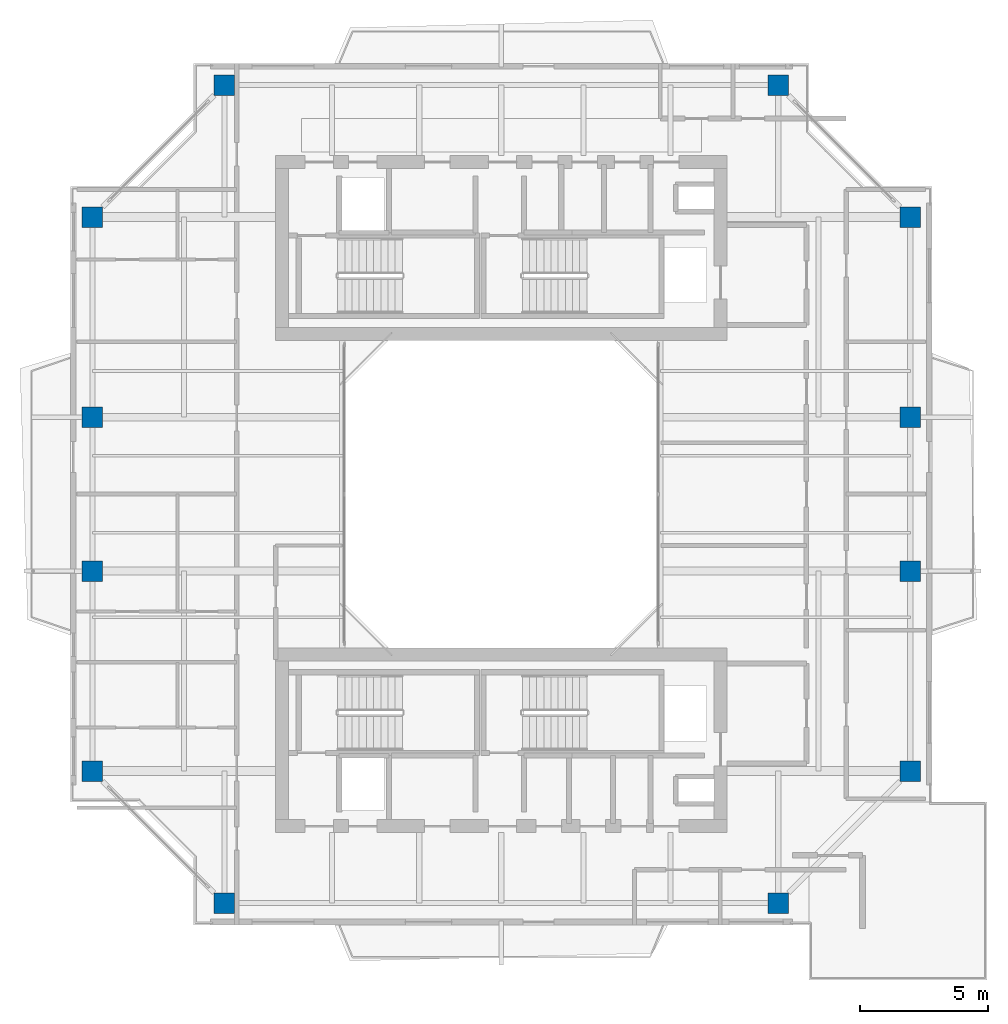
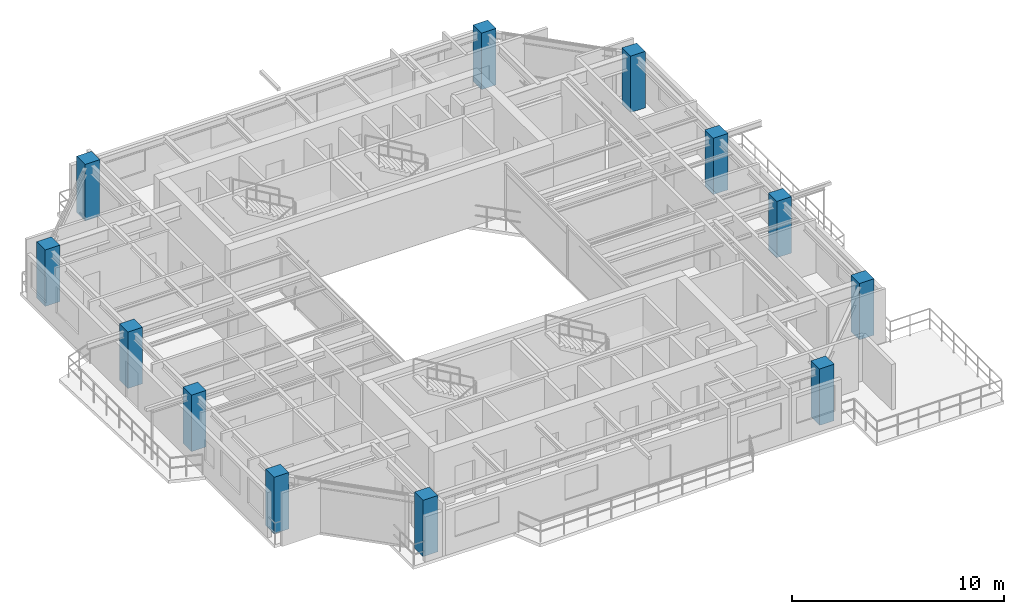
# One storey, part 1 of 15: 12 columns.
"""IFC4 building model written with IfcOpenShell, lengths in metres."""

from ifc_helpers import new_model, si_unit, direction, frame, origin, origin_2d, place, context, subcontext, project, spatial, rectangle, extrude, source, transform, mapped, material, material_profile, profile_set, type_object, element, save


model = new_model("IFC4")

# Units and contexts
model_context = context("Model", 3, precision=1e-05, world=origin(), true_north=direction((0.0, 1.0)))
body_context = subcontext(model_context, "Body", "Model", "MODEL_VIEW")
ifc_project = project(units=[si_unit("LENGTHUNIT", "METRE"), si_unit("AREAUNIT", "SQUARE_METRE"), si_unit("VOLUMEUNIT", "CUBIC_METRE"), si_unit("PLANEANGLEUNIT", "RADIAN"), si_unit("MASSUNIT", "GRAM", prefix="KILO"), si_unit("THERMODYNAMICTEMPERATUREUNIT", "KELVIN"), si_unit("POWERUNIT", "WATT")], contexts=[model_context])

# Site, building, storey
site_placement = place(None, origin())
site = spatial("IfcSite", under=ifc_project, at=site_placement, CompositionType="ELEMENT")
building_placement = place(site_placement, origin())
building = spatial("IfcBuilding", under=site, at=building_placement, Name="Qiaomeng Ring Towers", CompositionType="ELEMENT")
storey_placement = place(building_placement, frame((0.0, 0.0, 213.25)))
storey = spatial("IfcBuildingStorey", under=building, at=storey_placement, Name="L62", CompositionType="ELEMENT", Elevation=213.25)

# Columns
ifc_material = material(Name="Concrete C40", Category="concrete")
ifc_material_profile = material_profile(ifc_material, rectangle(XDim=0.800048828125, YDim=0.800048828125, at=origin_2d()), Name="RC COL 800x800")
ifc_profile_set = profile_set([ifc_material_profile], Name="Concrete C40")
column_type = type_object("IfcColumnType", Name="STR-COL-800-C40", PredefinedType="COLUMN", material=ifc_profile_set)
shared_shape = source(origin(), body_context, "Body", "SweptSolid", [
    extrude(rectangle(XDim=0.800048828125, YDim=0.800048828125, at=origin_2d()), origin(), (0.0, 0.0, 1.0), 3.25),
])
for number, where, z_axis, x_axis, name in (
    (1, (8.199951171875, 7.050048828125, 0.0), (0.0, 0.0, 1.0), (1.0, 0.0, 0.0), "L62 column STR-COL-L62-T1-S1"),
    (2, (29.800048828125, 7.050048828125, 0.0), (0.0, 0.0, 1.0), (1.0, 0.0, 0.0), "L62 column STR-COL-L62-T1-S2"),
    (3, (34.949951171875, 12.199951171875, 0.0), (0.0, 0.0, 1.0), (1.0, 0.0, 0.0), "L62 column STR-COL-L62-T1-E1"),
    (4, (34.949951171875, 20.0, 0.0), (0.0, 0.0, 1.0), (1.0, 0.0, 0.0), "L62 column STR-COL-L62-T1-E2"),
    (5, (34.949951171875, 26.0, 0.0), (0.0, 0.0, 1.0), (1.0, 0.0, 0.0), "L62 column STR-COL-L62-T1-E3"),
    (6, (34.949951171875, 33.800048828125, 0.0), (0.0, 0.0, 1.0), (1.0, 0.0, 0.0), "L62 column STR-COL-L62-T1-E4"),
    (7, (29.800048828125, 38.949951171875, 0.0), (0.0, 0.0, 1.0), (1.0, 0.0, 0.0), "L62 column STR-COL-L62-T1-N2"),
    (8, (8.199951171875, 38.949951171875, 0.0), (0.0, 0.0, 1.0), (1.0, 0.0, 0.0), "L62 column STR-COL-L62-T1-N1"),
    (9, (3.050048828125, 33.800048828125, 0.0), (0.0, 0.0, 1.0), (1.0, 0.0, 0.0), "L62 column STR-COL-L62-T1-W4"),
    (10, (3.050048828125, 26.0, 0.0), (0.0, 0.0, 1.0), (1.0, 0.0, 0.0), "L62 column STR-COL-L62-T1-W3"),
    (11, (3.050048828125, 20.0, 0.0), (0.0, 0.0, 1.0), (1.0, 0.0, 0.0), "L62 column STR-COL-L62-T1-W2"),
    (12, (3.050048828125, 12.199951171875, 0.0), (0.0, 0.0, 1.0), (1.0, 0.0, 0.0), "L62 column STR-COL-L62-T1-W1"),
):
    element("IfcColumn", number, at=place(storey_placement, frame(where, z_axis=z_axis, x_axis=x_axis)), inside=storey, type_object=column_type, Name=name, PredefinedType="COLUMN", context=body_context, shape_type="MappedRepresentation", body=[
        mapped(shared_shape, transform((0.0, 0.0, 0.0), x_axis=(1.0, 0.0, 0.0), y_axis=(0.0, 1.0, 0.0), z_axis=(0.0, 0.0, 1.0), scale=1.0)),
    ])

save(model, "model.ifc")
